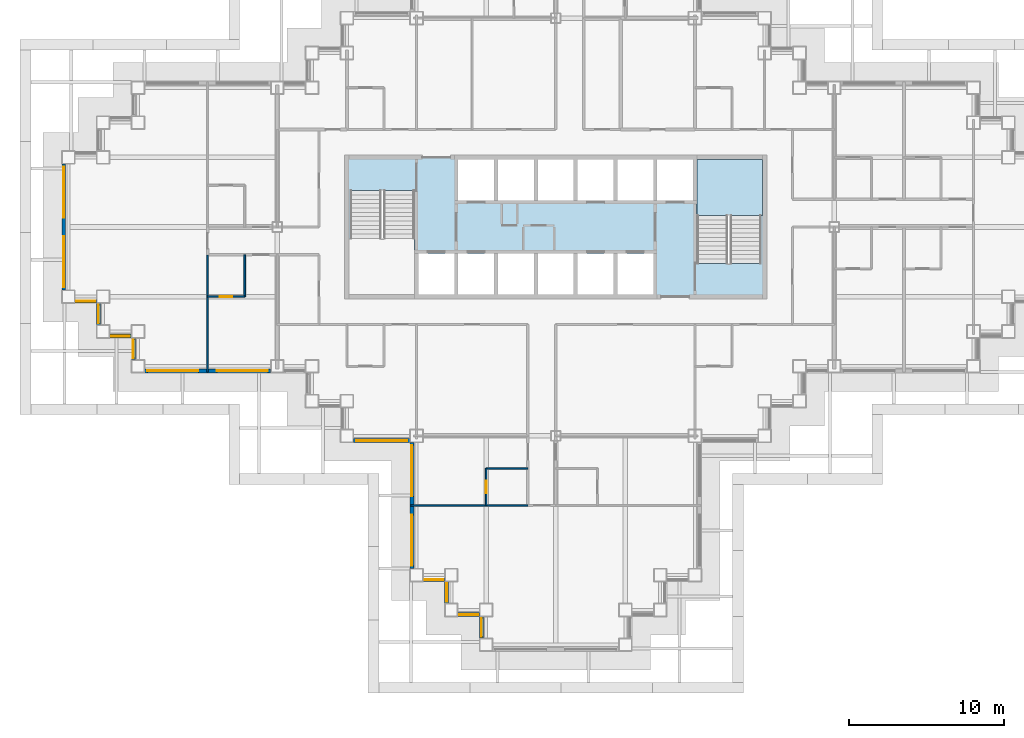
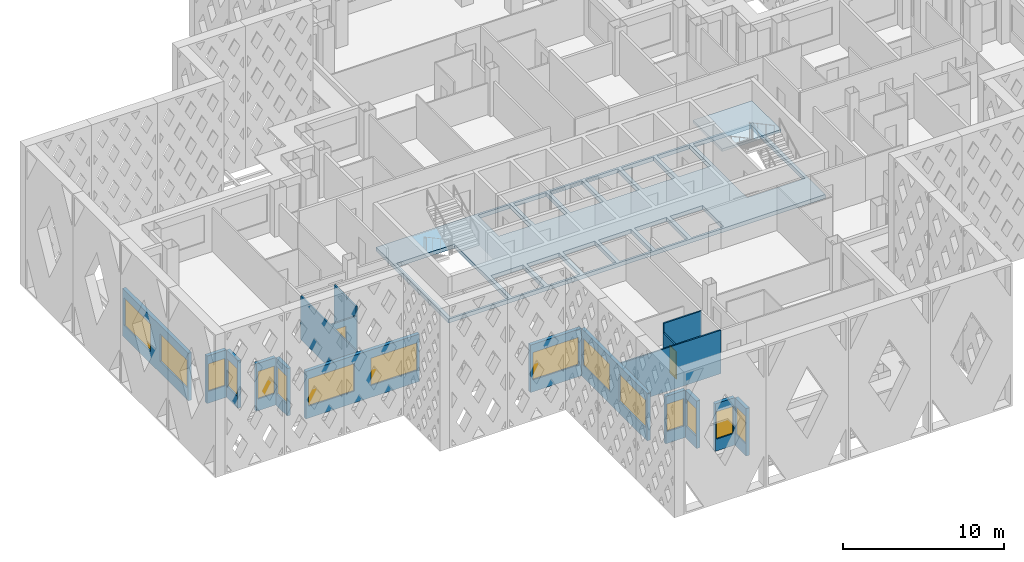
# One storey, part 4 of 21: 18 walls, 15 windows, 2 doors, 2 slabs, 17 openings, 1 element without a shape of its own.
"""IFC4 building model written with IfcOpenShell, lengths in metres."""

from ifc_helpers import new_model, si_unit, direction, frame, frame_2d, origin, place, context, subcontext, project, spatial, polyline, rectangle, outline, extrude, material, layer, layer_set, type_object, element, fill, aggregate, save


model = new_model("IFC4")

# Units and contexts
model_context = context("Model", 3, precision=1e-05, world=origin(), true_north=direction((0.0, 1.0)))
body_context = subcontext(model_context, "Body", "Model", "MODEL_VIEW")
ifc_project = project(units=[si_unit("LENGTHUNIT", "METRE"), si_unit("AREAUNIT", "SQUARE_METRE"), si_unit("VOLUMEUNIT", "CUBIC_METRE"), si_unit("PLANEANGLEUNIT", "RADIAN"), si_unit("MASSUNIT", "GRAM", prefix="KILO")], contexts=[model_context])

# Site, building, storey
site_placement = place(None, origin())
site = spatial("IfcSite", under=ifc_project, at=site_placement, CompositionType="ELEMENT")
building_placement = place(site_placement, origin())
building = spatial("IfcBuilding", under=site, at=building_placement, Name="Caravel Reach Hotel and Residences", CompositionType="ELEMENT")
storey_placement = place(building_placement, frame((0.0, 0.0, 129.60009765625)))
storey = spatial("IfcBuildingStorey", under=building, at=storey_placement, Name="L32", CompositionType="ELEMENT", Elevation=129.60009765625)

# Slab
ifc_material_1 = material(Name="Concrete C40", Category="concrete")
ifc_layer_1 = layer(ifc_material_1, 0.300048828125)
ifc_layer_set_1 = layer_set([ifc_layer_1], Name="Core floor slab 300 mm")
slab_type_1 = type_object("IfcSlabType", Name="Core floor slab 300 mm", PredefinedType="FLOOR", material=ifc_layer_set_1)
slab_1_placement = place(storey_placement, frame((0.0, 0.0, -0.300048828125)))
element("IfcSlab", 1, at=slab_1_placement, inside=storey, type_object=slab_type_1, Name="L32 core floor", PredefinedType="FLOOR", context=body_context, shape_type="SweptSolid", body=[
    extrude(outline(polyline([(18.0, 31.5), (45.0, 31.5), (45.0, 22.5), (18.0, 22.5), (18.0, 31.5)]), holes=[polyline([(22.625, 25.27490234375), (22.625, 22.64990234375), (24.9462890625, 22.64990234375), (24.9462890625, 25.27490234375), (22.625, 25.27490234375)]), polyline([(27.517822265625, 25.27490234375), (25.1962890625, 25.27490234375), (25.1962890625, 22.64990234375), (27.517822265625, 22.64990234375), (27.517822265625, 25.27490234375)]), polyline([(30.08935546875, 25.27490234375), (27.767822265625, 25.27490234375), (27.767822265625, 22.64990234375), (30.08935546875, 22.64990234375), (30.08935546875, 25.27490234375)]), polyline([(32.66064453125, 25.27490234375), (30.33935546875, 25.27490234375), (30.33935546875, 22.64990234375), (32.66064453125, 22.64990234375), (32.66064453125, 25.27490234375)]), polyline([(18.22509765625, 22.64990234375), (22.375, 22.64990234375), (22.375, 29.35009765625), (18.22509765625, 29.35009765625), (18.22509765625, 22.64990234375)]), polyline([(27.517822265625, 31.35009765625), (25.1962890625, 31.35009765625), (25.1962890625, 28.72509765625), (27.517822265625, 28.72509765625), (27.517822265625, 31.35009765625)]), polyline([(30.08935546875, 31.35009765625), (27.767822265625, 31.35009765625), (27.767822265625, 28.72509765625), (30.08935546875, 28.72509765625), (30.08935546875, 31.35009765625)]), polyline([(32.91064453125, 25.27490234375), (32.91064453125, 22.64990234375), (35.232177734375, 22.64990234375), (35.232177734375, 25.27490234375), (32.91064453125, 25.27490234375)]), polyline([(37.8037109375, 25.27490234375), (35.482177734375, 25.27490234375), (35.482177734375, 22.64990234375), (37.8037109375, 22.64990234375), (37.8037109375, 25.27490234375)]), polyline([(44.77490234375, 31.35009765625), (40.625, 31.35009765625), (40.625, 24.64990234375), (44.77490234375, 24.64990234375), (44.77490234375, 31.35009765625)]), polyline([(32.66064453125, 31.35009765625), (30.33935546875, 31.35009765625), (30.33935546875, 28.72509765625), (32.66064453125, 28.72509765625), (32.66064453125, 31.35009765625)]), polyline([(35.232177734375, 31.35009765625), (32.91064453125, 31.35009765625), (32.91064453125, 28.72509765625), (35.232177734375, 28.72509765625), (35.232177734375, 31.35009765625)]), polyline([(37.8037109375, 31.35009765625), (35.482177734375, 31.35009765625), (35.482177734375, 28.72509765625), (37.8037109375, 28.72509765625), (37.8037109375, 31.35009765625)]), polyline([(40.375, 31.35009765625), (38.0537109375, 31.35009765625), (38.0537109375, 28.72509765625), (40.375, 28.72509765625), (40.375, 31.35009765625)])]), origin(), (0.0, 0.0, 1.0), 0.300048828125),
])

# Stair, slab
ifc_material_2 = material(Name="Concrete C40", Category="concrete")
stair_type = type_object("IfcStairType", Name="Core stair", PredefinedType="HALF_TURN_STAIR", material=ifc_material_2)
stair_placement = place(storey_placement, origin())
stair = element("IfcStair", 2, at=stair_placement, inside=storey, type_object=stair_type, Name="L32 Exit stair B", PredefinedType="HALF_TURN_STAIR")
ifc_material_3 = material(Name="Concrete C40", Category="concrete")
ifc_layer_2 = layer(ifc_material_3, 0.199951171875)
ifc_layer_set_2 = layer_set([ifc_layer_2], Name="Core stair landing")
slab_type_2 = type_object("IfcSlabType", Name="Core stair landing", PredefinedType="LANDING", material=ifc_layer_set_2)
slab_2_placement = place(storey_placement, frame((0.0, 0.0, 1.599853515625)))
slab_2 = element("IfcSlab", 3, at=slab_2_placement, type_object=slab_type_2, Name="ST-B landing 1", PredefinedType="LANDING", context=body_context, shape_type="SweptSolid", body=[
    extrude(outline(polyline([(44.85009765625, 27.72998046875), (44.85009765625, 31.35009765625), (40.625, 31.35009765625), (40.625, 27.72998046875), (44.85009765625, 27.72998046875)])), origin(), (0.0, 0.0, 1.0), 0.199951171875),
])
aggregate(stair, [slab_2])

# Wall
ifc_material_4 = material(Name="Gypsum board on steel stud", Category="steel")
ifc_layer_3 = layer(ifc_material_4, 0.10009765625)
ifc_layer_set_3 = layer_set([ifc_layer_3], Name="Bathroom pod wall 100 mm")
wall_type_1 = type_object("IfcWallType", Name="Bathroom pod wall 100 mm", PredefinedType="PARTITIONING", material=ifc_layer_set_3)
wall_1_placement = place(storey_placement, frame((27.0, 11.39990234375, 0.0), z_axis=(0.0, 0.0, 1.0), x_axis=(1.0, 0.0, 0.0)))
element("IfcWall", 4, at=wall_1_placement, inside=storey, type_object=wall_type_1, Name="L32 wall w068", PredefinedType="PARTITIONING", context=body_context, shape_type="SweptSolid", body=[
    extrude(rectangle(XDim=2.699951171875, YDim=0.10009765625, at=frame_2d((1.35009765625, 0.0))), origin(), (0.0, 0.0, 1.0), 3.2998046875),
])

# Wall, opening, door
wall_2_placement = place(storey_placement, frame((9.0, 22.5, 0.0), z_axis=(0.0, 0.0, 1.0), x_axis=(1.0, 0.0, 0.0)))
wall_2 = element("IfcWall", 5, at=wall_2_placement, inside=storey, type_object=wall_type_1, Name="L32 wall w071", PredefinedType="PARTITIONING", context=body_context, shape_type="SweptSolid", body=[
    extrude(rectangle(XDim=2.39990234375, YDim=0.10009765625, at=frame_2d((1.199951171875, 0.0))), origin(), (0.0, 0.0, 1.0), 2.579833984375),
])
opening_1_placement = place(wall_2_placement, frame((0.800048828125, 0.0, 0.0)))
opening_1 = element("IfcOpeningElement", 6, at=opening_1_placement, cuts=wall_2, Name="Opening D32-017", PredefinedType="OPENING", context=body_context, shape_type="SweptSolid", body=[
    extrude(rectangle(XDim=0.800048828125, YDim=2.10009765625, at=frame_2d((0.39990234375, 1.050048828125))), frame((0.0, 0.06005859375, 0.0), z_axis=(0.0, -1.0, 0.0), x_axis=(1.0, 0.0, 0.0)), (0.0, 0.0, 1.0), 0.1201171875),
])
ifc_material_5 = material(Name="Timber and steel door leaf", Category="steel")
door_type = type_object("IfcDoorType", Name="Bathroom door 800 x 2100", OperationType="SINGLE_SWING_LEFT", PredefinedType="DOOR", material=ifc_material_5)
door_1_placement = place(opening_1_placement, origin())
door_1 = element("IfcDoor", 7, at=door_1_placement, inside=storey, type_object=door_type, Name="door D32-017", OperationType="SINGLE_SWING_LEFT", OverallHeight=2.10009765625, OverallWidth=0.800048828125, PredefinedType="DOOR", context=body_context, shape_type="SweptSolid", body=[
    extrude(rectangle(XDim=0.800048828125, YDim=2.10009765625, at=frame_2d((0.39990234375, 1.050048828125))), frame((0.0, 0.02490234375, 0.0), z_axis=(0.0, -1.0, 0.0), x_axis=(1.0, 0.0, 0.0)), (0.0, 0.0, 1.0), 0.050048828125),
])
fill(opening_1, door_1)

# Wall
wall_3_placement = place(storey_placement, frame((11.39990234375, 22.5, 0.0), z_axis=(0.0, 0.0, 1.0), x_axis=(0.0, 1.0, 0.0)))
element("IfcWall", 8, at=wall_3_placement, inside=storey, type_object=wall_type_1, Name="L32 wall w082", PredefinedType="PARTITIONING", context=body_context, shape_type="SweptSolid", body=[
    extrude(rectangle(XDim=2.699951171875, YDim=0.10009765625, at=frame_2d((1.35009765625, 0.0))), origin(), (0.0, 0.0, 1.0), 3.2998046875),
])

# Wall, opening, door
wall_4_placement = place(storey_placement, frame((27.0, 9.0, 0.0), z_axis=(0.0, 0.0, 1.0), x_axis=(0.0, 1.0, 0.0)))
wall_4 = element("IfcWall", 9, at=wall_4_placement, inside=storey, type_object=wall_type_1, Name="L32 wall w086", PredefinedType="PARTITIONING", context=body_context, shape_type="SweptSolid", body=[
    extrude(rectangle(XDim=2.39990234375, YDim=0.10009765625, at=frame_2d((1.199951171875, 0.0))), origin(), (0.0, 0.0, 1.0), 2.579833984375),
])
opening_2_placement = place(wall_4_placement, frame((0.800048828125, 0.0, 0.0)))
opening_2 = element("IfcOpeningElement", 10, at=opening_2_placement, cuts=wall_4, Name="Opening D32-033", PredefinedType="OPENING", context=body_context, shape_type="SweptSolid", body=[
    extrude(rectangle(XDim=0.800048828125, YDim=2.10009765625, at=frame_2d((0.39990234375, 1.050048828125))), frame((0.0, 0.06005859375, 0.0), z_axis=(0.0, -1.0, 0.0), x_axis=(1.0, 0.0, 0.0)), (0.0, 0.0, 1.0), 0.1201171875),
])
door_2_placement = place(opening_2_placement, origin())
door_2 = element("IfcDoor", 11, at=door_2_placement, inside=storey, type_object=door_type, Name="door D32-033", OperationType="SINGLE_SWING_RIGHT", OverallHeight=2.10009765625, OverallWidth=0.800048828125, PredefinedType="DOOR", context=body_context, shape_type="SweptSolid", body=[
    extrude(rectangle(XDim=0.800048828125, YDim=2.10009765625, at=frame_2d((0.39990234375, 1.050048828125))), frame((0.0, 0.02490234375, 0.0), z_axis=(0.0, -1.0, 0.0), x_axis=(1.0, 0.0, 0.0)), (0.0, 0.0, 1.0), 0.050048828125),
])
fill(opening_2, door_2)

# Wall, opening, window
ifc_material_6 = material(Name="Insulated rainscreen wall, aluminium cladding", Category="aluminium")
ifc_layer_4 = layer(ifc_material_6, 0.25)
ifc_layer_set_4 = layer_set([ifc_layer_4], Name="EW1 Tower rainscreen wall")
wall_type_2 = type_object("IfcWallType", Name="EW1 Tower rainscreen wall", PredefinedType="SOLIDWALL", material=ifc_layer_set_4)
wall_5_placement = place(storey_placement, frame((22.925048828125, 4.199951171875, 0.0), z_axis=(0.0, 0.0, 1.0), x_axis=(1.0, 0.0, 0.0)))
wall_5 = element("IfcWall", 12, at=wall_5_placement, inside=storey, type_object=wall_type_2, Name="External wall L32 S1.1", PredefinedType="SOLIDWALL", context=body_context, shape_type="SweptSolid", body=[
    extrude(rectangle(XDim=1.39990234375, YDim=0.25, at=frame_2d((0.699951171875, 0.0))), origin(), (0.0, 0.0, 1.0), 3.599853515625),
])
opening_3_placement = place(wall_5_placement, frame((0.10009765625, 0.0, 0.89990234375)))
opening_3 = element("IfcOpeningElement", 13, at=opening_3_placement, cuts=wall_5, Name="Opening WN9", PredefinedType="OPENING", context=body_context, shape_type="SweptSolid", body=[
    extrude(rectangle(XDim=1.199951171875, YDim=2.080078125, at=frame_2d((0.60009765625, 1.0400390625))), frame((0.0, 0.135009765625, 0.0), z_axis=(0.0, -1.0, 0.0), x_axis=(1.0, 0.0, 0.0)), (0.0, 0.0, 1.0), 0.27001953125),
])
ifc_material_7 = material(Name="Dark low-e glazing in black aluminium frame", Category="aluminium")
window_type_1 = type_object("IfcWindowType", Name="Hotel suite corner window 1200 x 2080", PartitioningType="SINGLE_PANEL", PredefinedType="WINDOW", material=ifc_material_7)
window_1_placement = place(opening_3_placement, origin())
window_1 = element("IfcWindow", 14, at=window_1_placement, inside=storey, type_object=window_type_1, Name="Window L32 S1.1.1", OverallHeight=2.080078125, OverallWidth=1.199951171875, PartitioningType="SINGLE_PANEL", PredefinedType="WINDOW", context=body_context, shape_type="SweptSolid", body=[
    extrude(rectangle(XDim=1.199951171875, YDim=2.080078125, at=frame_2d((0.60009765625, 1.0400390625))), frame((0.0, 0.030029296875, 0.0), z_axis=(0.0, -1.0, 0.0), x_axis=(1.0, 0.0, 0.0)), (0.0, 0.0, 1.0), 0.06005859375),
])
fill(opening_3, window_1)

wall_6_placement = place(storey_placement, frame((24.449951171875, 4.074951171875, 0.0), z_axis=(0.0, 0.0, 1.0), x_axis=(0.0, -1.0, 0.0)))
wall_6 = element("IfcWall", 15, at=wall_6_placement, inside=storey, type_object=wall_type_2, Name="External wall L32 W2.1", PredefinedType="SOLIDWALL", context=body_context, shape_type="SweptSolid", body=[
    extrude(rectangle(XDim=1.39990234375, YDim=0.25, at=frame_2d((0.699951171875, 0.0))), origin(), (0.0, 0.0, 1.0), 3.599853515625),
])
opening_4_placement = place(wall_6_placement, frame((0.10009765625, 0.0, 0.89990234375)))
opening_4 = element("IfcOpeningElement", 16, at=opening_4_placement, cuts=wall_6, Name="Opening WN9", PredefinedType="OPENING", context=body_context, shape_type="SweptSolid", body=[
    extrude(rectangle(XDim=1.199951171875, YDim=2.080078125, at=frame_2d((0.60009765625, 1.0400390625))), frame((0.0, 0.135009765625, 0.0), z_axis=(0.0, -1.0, 0.0), x_axis=(1.0, 0.0, 0.0)), (0.0, 0.0, 1.0), 0.27001953125),
])
window_2_placement = place(opening_4_placement, origin())
window_2 = element("IfcWindow", 17, at=window_2_placement, inside=storey, type_object=window_type_1, Name="Window L32 W2.1.1", OverallHeight=2.080078125, OverallWidth=1.199951171875, PartitioningType="SINGLE_PANEL", PredefinedType="WINDOW", context=body_context, shape_type="SweptSolid", body=[
    extrude(rectangle(XDim=1.199951171875, YDim=2.080078125, at=frame_2d((0.60009765625, 1.0400390625))), frame((0.0, 0.030029296875, 0.0), z_axis=(0.0, -1.0, 0.0), x_axis=(1.0, 0.0, 0.0)), (0.0, 0.0, 1.0), 0.06005859375),
])
fill(opening_4, window_2)

wall_7_placement = place(storey_placement, frame((25.175048828125, 1.949951171875, 0.0), z_axis=(0.0, 0.0, 1.0), x_axis=(1.0, 0.0, 0.0)))
wall_7 = element("IfcWall", 18, at=wall_7_placement, inside=storey, type_object=wall_type_2, Name="External wall L32 S3.1", PredefinedType="SOLIDWALL", context=body_context, shape_type="SweptSolid", body=[
    extrude(rectangle(XDim=1.39990234375, YDim=0.25, at=frame_2d((0.699951171875, 0.0))), origin(), (0.0, 0.0, 1.0), 3.599853515625),
])
opening_5_placement = place(wall_7_placement, frame((0.10009765625, 0.0, 0.89990234375)))
opening_5 = element("IfcOpeningElement", 19, at=opening_5_placement, cuts=wall_7, Name="Opening WN9", PredefinedType="OPENING", context=body_context, shape_type="SweptSolid", body=[
    extrude(rectangle(XDim=1.199951171875, YDim=2.080078125, at=frame_2d((0.60009765625, 1.0400390625))), frame((0.0, 0.135009765625, 0.0), z_axis=(0.0, -1.0, 0.0), x_axis=(1.0, 0.0, 0.0)), (0.0, 0.0, 1.0), 0.27001953125),
])
window_3_placement = place(opening_5_placement, origin())
window_3 = element("IfcWindow", 20, at=window_3_placement, inside=storey, type_object=window_type_1, Name="Window L32 S3.1.1", OverallHeight=2.080078125, OverallWidth=1.199951171875, PartitioningType="SINGLE_PANEL", PredefinedType="WINDOW", context=body_context, shape_type="SweptSolid", body=[
    extrude(rectangle(XDim=1.199951171875, YDim=2.080078125, at=frame_2d((0.60009765625, 1.0400390625))), frame((0.0, 0.030029296875, 0.0), z_axis=(0.0, -1.0, 0.0), x_axis=(1.0, 0.0, 0.0)), (0.0, 0.0, 1.0), 0.06005859375),
])
fill(opening_5, window_3)

wall_8_placement = place(storey_placement, frame((26.699951171875, 1.824951171875, 0.0), z_axis=(0.0, 0.0, 1.0), x_axis=(0.0, -1.0, 0.0)))
wall_8 = element("IfcWall", 21, at=wall_8_placement, inside=storey, type_object=wall_type_2, Name="External wall L32 W4.1", PredefinedType="SOLIDWALL", context=body_context, shape_type="SweptSolid", body=[
    extrude(rectangle(XDim=1.39990234375, YDim=0.25, at=frame_2d((0.699951171875, 0.0))), origin(), (0.0, 0.0, 1.0), 3.599853515625),
])
opening_6_placement = place(wall_8_placement, frame((0.10009765625, 0.0, 0.89990234375)))
opening_6 = element("IfcOpeningElement", 22, at=opening_6_placement, cuts=wall_8, Name="Opening WN9", PredefinedType="OPENING", context=body_context, shape_type="SweptSolid", body=[
    extrude(rectangle(XDim=1.199951171875, YDim=2.080078125, at=frame_2d((0.60009765625, 1.0400390625))), frame((0.0, 0.135009765625, 0.0), z_axis=(0.0, -1.0, 0.0), x_axis=(1.0, 0.0, 0.0)), (0.0, 0.0, 1.0), 0.27001953125),
])
window_4_placement = place(opening_6_placement, origin())
window_4 = element("IfcWindow", 23, at=window_4_placement, inside=storey, type_object=window_type_1, Name="Window L32 W4.1.1", OverallHeight=2.080078125, OverallWidth=1.199951171875, PartitioningType="SINGLE_PANEL", PredefinedType="WINDOW", context=body_context, shape_type="SweptSolid", body=[
    extrude(rectangle(XDim=1.199951171875, YDim=2.080078125, at=frame_2d((0.60009765625, 1.0400390625))), frame((0.0, 0.030029296875, 0.0), z_axis=(0.0, -1.0, 0.0), x_axis=(1.0, 0.0, 0.0)), (0.0, 0.0, 1.0), 0.06005859375),
])
fill(opening_6, window_4)

# Wall, openings, windows
wall_9_placement = place(storey_placement, frame((-0.300048828125, 31.074951171875, 0.0), z_axis=(0.0, 0.0, 1.0), x_axis=(0.0, -1.0, 0.0)))
wall_9 = element("IfcWall", 24, at=wall_9_placement, inside=storey, type_object=wall_type_2, Name="External wall L32 W50.1", PredefinedType="SOLIDWALL", context=body_context, shape_type="SweptSolid", body=[
    extrude(rectangle(XDim=8.14990234375, YDim=0.25, at=frame_2d((4.074951171875, 0.0))), origin(), (0.0, 0.0, 1.0), 3.599853515625),
])
opening_7_placement = place(wall_9_placement, frame((0.175048828125, 0.0, 0.89990234375)))
opening_7 = element("IfcOpeningElement", 25, at=opening_7_placement, cuts=wall_9, Name="Opening WN4", PredefinedType="OPENING", context=body_context, shape_type="SweptSolid", body=[
    extrude(rectangle(XDim=3.300048828125, YDim=2.080078125, at=frame_2d((1.64990234375, 1.0400390625))), frame((0.0, 0.135009765625, 0.0), z_axis=(0.0, -1.0, 0.0), x_axis=(1.0, 0.0, 0.0)), (0.0, 0.0, 1.0), 0.27001953125),
])
opening_8_placement = place(wall_9_placement, frame((4.675048828125, 0.0, 0.89990234375)))
opening_8 = element("IfcOpeningElement", 26, at=opening_8_placement, cuts=wall_9, Name="Opening WN4", PredefinedType="OPENING", context=body_context, shape_type="SweptSolid", body=[
    extrude(rectangle(XDim=3.300048828125, YDim=2.080078125, at=frame_2d((1.64990234375, 1.0400390625))), frame((0.0, 0.135009765625, 0.0), z_axis=(0.0, -1.0, 0.0), x_axis=(1.0, 0.0, 0.0)), (0.0, 0.0, 1.0), 0.27001953125),
])
ifc_material_8 = material(Name="Dark low-e glazing in black aluminium frame", Category="aluminium")
window_type_2 = type_object("IfcWindowType", Name="Hotel guest room window 3300 x 2080", PartitioningType="SINGLE_PANEL", PredefinedType="WINDOW", material=ifc_material_8)
window_5_placement = place(opening_7_placement, origin())
window_5 = element("IfcWindow", 27, at=window_5_placement, inside=storey, type_object=window_type_2, Name="Window L32 W50.1.1", OverallHeight=2.080078125, OverallWidth=3.300048828125, PartitioningType="SINGLE_PANEL", PredefinedType="WINDOW", context=body_context, shape_type="SweptSolid", body=[
    extrude(rectangle(XDim=3.300048828125, YDim=2.080078125, at=frame_2d((1.64990234375, 1.0400390625))), frame((0.0, 0.030029296875, 0.0), z_axis=(0.0, -1.0, 0.0), x_axis=(1.0, 0.0, 0.0)), (0.0, 0.0, 1.0), 0.06005859375),
])
fill(opening_7, window_5)
window_6_placement = place(opening_8_placement, origin())
window_6 = element("IfcWindow", 28, at=window_6_placement, inside=storey, type_object=window_type_2, Name="Window L32 W50.1.2", OverallHeight=2.080078125, OverallWidth=3.300048828125, PartitioningType="SINGLE_PANEL", PredefinedType="WINDOW", context=body_context, shape_type="SweptSolid", body=[
    extrude(rectangle(XDim=3.300048828125, YDim=2.080078125, at=frame_2d((1.64990234375, 1.0400390625))), frame((0.0, 0.030029296875, 0.0), z_axis=(0.0, -1.0, 0.0), x_axis=(1.0, 0.0, 0.0)), (0.0, 0.0, 1.0), 0.06005859375),
])
fill(opening_8, window_6)

# Wall, opening, window
wall_10_placement = place(storey_placement, frame((0.425048828125, 22.199951171875, 0.0), z_axis=(0.0, 0.0, 1.0), x_axis=(1.0, 0.0, 0.0)))
wall_10 = element("IfcWall", 29, at=wall_10_placement, inside=storey, type_object=wall_type_2, Name="External wall L32 S51.1", PredefinedType="SOLIDWALL", context=body_context, shape_type="SweptSolid", body=[
    extrude(rectangle(XDim=1.39990234375, YDim=0.25, at=frame_2d((0.699951171875, 0.0))), origin(), (0.0, 0.0, 1.0), 3.599853515625),
])
opening_9_placement = place(wall_10_placement, frame((0.10009765625, 0.0, 0.89990234375)))
opening_9 = element("IfcOpeningElement", 30, at=opening_9_placement, cuts=wall_10, Name="Opening WN9", PredefinedType="OPENING", context=body_context, shape_type="SweptSolid", body=[
    extrude(rectangle(XDim=1.199951171875, YDim=2.080078125, at=frame_2d((0.60009765625, 1.0400390625))), frame((0.0, 0.135009765625, 0.0), z_axis=(0.0, -1.0, 0.0), x_axis=(1.0, 0.0, 0.0)), (0.0, 0.0, 1.0), 0.27001953125),
])
window_7_placement = place(opening_9_placement, origin())
window_7 = element("IfcWindow", 31, at=window_7_placement, inside=storey, type_object=window_type_1, Name="Window L32 S51.1.1", OverallHeight=2.080078125, OverallWidth=1.199951171875, PartitioningType="SINGLE_PANEL", PredefinedType="WINDOW", context=body_context, shape_type="SweptSolid", body=[
    extrude(rectangle(XDim=1.199951171875, YDim=2.080078125, at=frame_2d((0.60009765625, 1.0400390625))), frame((0.0, 0.030029296875, 0.0), z_axis=(0.0, -1.0, 0.0), x_axis=(1.0, 0.0, 0.0)), (0.0, 0.0, 1.0), 0.06005859375),
])
fill(opening_9, window_7)

wall_11_placement = place(storey_placement, frame((1.949951171875, 22.074951171875, 0.0), z_axis=(0.0, 0.0, 1.0), x_axis=(0.0, -1.0, 0.0)))
wall_11 = element("IfcWall", 32, at=wall_11_placement, inside=storey, type_object=wall_type_2, Name="External wall L32 W52.1", PredefinedType="SOLIDWALL", context=body_context, shape_type="SweptSolid", body=[
    extrude(rectangle(XDim=1.39990234375, YDim=0.25, at=frame_2d((0.699951171875, 0.0))), origin(), (0.0, 0.0, 1.0), 3.599853515625),
])
opening_10_placement = place(wall_11_placement, frame((0.10009765625, 0.0, 0.89990234375)))
opening_10 = element("IfcOpeningElement", 33, at=opening_10_placement, cuts=wall_11, Name="Opening WN9", PredefinedType="OPENING", context=body_context, shape_type="SweptSolid", body=[
    extrude(rectangle(XDim=1.199951171875, YDim=2.080078125, at=frame_2d((0.60009765625, 1.0400390625))), frame((0.0, 0.135009765625, 0.0), z_axis=(0.0, -1.0, 0.0), x_axis=(1.0, 0.0, 0.0)), (0.0, 0.0, 1.0), 0.27001953125),
])
window_8_placement = place(opening_10_placement, origin())
window_8 = element("IfcWindow", 34, at=window_8_placement, inside=storey, type_object=window_type_1, Name="Window L32 W52.1.1", OverallHeight=2.080078125, OverallWidth=1.199951171875, PartitioningType="SINGLE_PANEL", PredefinedType="WINDOW", context=body_context, shape_type="SweptSolid", body=[
    extrude(rectangle(XDim=1.199951171875, YDim=2.080078125, at=frame_2d((0.60009765625, 1.0400390625))), frame((0.0, 0.030029296875, 0.0), z_axis=(0.0, -1.0, 0.0), x_axis=(1.0, 0.0, 0.0)), (0.0, 0.0, 1.0), 0.06005859375),
])
fill(opening_10, window_8)

wall_12_placement = place(storey_placement, frame((2.675048828125, 19.949951171875, 0.0), z_axis=(0.0, 0.0, 1.0), x_axis=(1.0, 0.0, 0.0)))
wall_12 = element("IfcWall", 35, at=wall_12_placement, inside=storey, type_object=wall_type_2, Name="External wall L32 S53.1", PredefinedType="SOLIDWALL", context=body_context, shape_type="SweptSolid", body=[
    extrude(rectangle(XDim=1.39990234375, YDim=0.25, at=frame_2d((0.699951171875, 0.0))), origin(), (0.0, 0.0, 1.0), 3.599853515625),
])
opening_11_placement = place(wall_12_placement, frame((0.10009765625, 0.0, 0.89990234375)))
opening_11 = element("IfcOpeningElement", 36, at=opening_11_placement, cuts=wall_12, Name="Opening WN9", PredefinedType="OPENING", context=body_context, shape_type="SweptSolid", body=[
    extrude(rectangle(XDim=1.199951171875, YDim=2.080078125, at=frame_2d((0.60009765625, 1.0400390625))), frame((0.0, 0.135009765625, 0.0), z_axis=(0.0, -1.0, 0.0), x_axis=(1.0, 0.0, 0.0)), (0.0, 0.0, 1.0), 0.27001953125),
])
window_9_placement = place(opening_11_placement, origin())
window_9 = element("IfcWindow", 37, at=window_9_placement, inside=storey, type_object=window_type_1, Name="Window L32 S53.1.1", OverallHeight=2.080078125, OverallWidth=1.199951171875, PartitioningType="SINGLE_PANEL", PredefinedType="WINDOW", context=body_context, shape_type="SweptSolid", body=[
    extrude(rectangle(XDim=1.199951171875, YDim=2.080078125, at=frame_2d((0.60009765625, 1.0400390625))), frame((0.0, 0.030029296875, 0.0), z_axis=(0.0, -1.0, 0.0), x_axis=(1.0, 0.0, 0.0)), (0.0, 0.0, 1.0), 0.06005859375),
])
fill(opening_11, window_9)

wall_13_placement = place(storey_placement, frame((4.199951171875, 19.824951171875, 0.0), z_axis=(0.0, 0.0, 1.0), x_axis=(0.0, -1.0, 0.0)))
wall_13 = element("IfcWall", 38, at=wall_13_placement, inside=storey, type_object=wall_type_2, Name="External wall L32 W54.1", PredefinedType="SOLIDWALL", context=body_context, shape_type="SweptSolid", body=[
    extrude(rectangle(XDim=1.39990234375, YDim=0.25, at=frame_2d((0.699951171875, 0.0))), origin(), (0.0, 0.0, 1.0), 3.599853515625),
])
opening_12_placement = place(wall_13_placement, frame((0.10009765625, 0.0, 0.89990234375)))
opening_12 = element("IfcOpeningElement", 39, at=opening_12_placement, cuts=wall_13, Name="Opening WN9", PredefinedType="OPENING", context=body_context, shape_type="SweptSolid", body=[
    extrude(rectangle(XDim=1.199951171875, YDim=2.080078125, at=frame_2d((0.60009765625, 1.0400390625))), frame((0.0, 0.135009765625, 0.0), z_axis=(0.0, -1.0, 0.0), x_axis=(1.0, 0.0, 0.0)), (0.0, 0.0, 1.0), 0.27001953125),
])
window_10_placement = place(opening_12_placement, origin())
window_10 = element("IfcWindow", 40, at=window_10_placement, inside=storey, type_object=window_type_1, Name="Window L32 W54.1.1", OverallHeight=2.080078125, OverallWidth=1.199951171875, PartitioningType="SINGLE_PANEL", PredefinedType="WINDOW", context=body_context, shape_type="SweptSolid", body=[
    extrude(rectangle(XDim=1.199951171875, YDim=2.080078125, at=frame_2d((0.60009765625, 1.0400390625))), frame((0.0, 0.030029296875, 0.0), z_axis=(0.0, -1.0, 0.0), x_axis=(1.0, 0.0, 0.0)), (0.0, 0.0, 1.0), 0.06005859375),
])
fill(opening_12, window_10)

# Wall, openings, windows
wall_14_placement = place(storey_placement, frame((4.925048828125, 17.699951171875, 0.0), z_axis=(0.0, 0.0, 1.0), x_axis=(1.0, 0.0, 0.0)))
wall_14 = element("IfcWall", 41, at=wall_14_placement, inside=storey, type_object=wall_type_2, Name="External wall L32 S55.1", PredefinedType="SOLIDWALL", context=body_context, shape_type="SweptSolid", body=[
    extrude(rectangle(XDim=8.14990234375, YDim=0.25, at=frame_2d((4.074951171875, 0.0))), origin(), (0.0, 0.0, 1.0), 3.599853515625),
])
opening_13_placement = place(wall_14_placement, frame((0.175048828125, 0.0, 0.89990234375)))
opening_13 = element("IfcOpeningElement", 42, at=opening_13_placement, cuts=wall_14, Name="Opening WN4", PredefinedType="OPENING", context=body_context, shape_type="SweptSolid", body=[
    extrude(rectangle(XDim=3.300048828125, YDim=2.080078125, at=frame_2d((1.64990234375, 1.0400390625))), frame((0.0, 0.135009765625, 0.0), z_axis=(0.0, -1.0, 0.0), x_axis=(1.0, 0.0, 0.0)), (0.0, 0.0, 1.0), 0.27001953125),
])
opening_14_placement = place(wall_14_placement, frame((4.675048828125, 0.0, 0.89990234375)))
opening_14 = element("IfcOpeningElement", 43, at=opening_14_placement, cuts=wall_14, Name="Opening WN4", PredefinedType="OPENING", context=body_context, shape_type="SweptSolid", body=[
    extrude(rectangle(XDim=3.300048828125, YDim=2.080078125, at=frame_2d((1.64990234375, 1.0400390625))), frame((0.0, 0.135009765625, 0.0), z_axis=(0.0, -1.0, 0.0), x_axis=(1.0, 0.0, 0.0)), (0.0, 0.0, 1.0), 0.27001953125),
])
window_11_placement = place(opening_13_placement, origin())
window_11 = element("IfcWindow", 44, at=window_11_placement, inside=storey, type_object=window_type_2, Name="Window L32 S55.1.1", OverallHeight=2.080078125, OverallWidth=3.300048828125, PartitioningType="SINGLE_PANEL", PredefinedType="WINDOW", context=body_context, shape_type="SweptSolid", body=[
    extrude(rectangle(XDim=3.300048828125, YDim=2.080078125, at=frame_2d((1.64990234375, 1.0400390625))), frame((0.0, 0.030029296875, 0.0), z_axis=(0.0, -1.0, 0.0), x_axis=(1.0, 0.0, 0.0)), (0.0, 0.0, 1.0), 0.06005859375),
])
fill(opening_13, window_11)
window_12_placement = place(opening_14_placement, origin())
window_12 = element("IfcWindow", 45, at=window_12_placement, inside=storey, type_object=window_type_2, Name="Window L32 S55.1.2", OverallHeight=2.080078125, OverallWidth=3.300048828125, PartitioningType="SINGLE_PANEL", PredefinedType="WINDOW", context=body_context, shape_type="SweptSolid", body=[
    extrude(rectangle(XDim=3.300048828125, YDim=2.080078125, at=frame_2d((1.64990234375, 1.0400390625))), frame((0.0, 0.030029296875, 0.0), z_axis=(0.0, -1.0, 0.0), x_axis=(1.0, 0.0, 0.0)), (0.0, 0.0, 1.0), 0.06005859375),
])
fill(opening_14, window_12)

# Wall, opening, window
wall_15_placement = place(storey_placement, frame((18.425048828125, 13.199951171875, 0.0), z_axis=(0.0, 0.0, 1.0), x_axis=(1.0, 0.0, 0.0)))
wall_15 = element("IfcWall", 46, at=wall_15_placement, inside=storey, type_object=wall_type_2, Name="External wall L32 S59.1", PredefinedType="SOLIDWALL", context=body_context, shape_type="SweptSolid", body=[
    extrude(rectangle(XDim=3.64990234375, YDim=0.25, at=frame_2d((1.824951171875, 0.0))), origin(), (0.0, 0.0, 1.0), 3.599853515625),
])
opening_15_placement = place(wall_15_placement, frame((0.175048828125, 0.0, 0.89990234375)))
opening_15 = element("IfcOpeningElement", 47, at=opening_15_placement, cuts=wall_15, Name="Opening WN4", PredefinedType="OPENING", context=body_context, shape_type="SweptSolid", body=[
    extrude(rectangle(XDim=3.300048828125, YDim=2.080078125, at=frame_2d((1.64990234375, 1.0400390625))), frame((0.0, 0.135009765625, 0.0), z_axis=(0.0, -1.0, 0.0), x_axis=(1.0, 0.0, 0.0)), (0.0, 0.0, 1.0), 0.27001953125),
])
window_13_placement = place(opening_15_placement, origin())
window_13 = element("IfcWindow", 48, at=window_13_placement, inside=storey, type_object=window_type_2, Name="Window L32 S59.1.1", OverallHeight=2.080078125, OverallWidth=3.300048828125, PartitioningType="SINGLE_PANEL", PredefinedType="WINDOW", context=body_context, shape_type="SweptSolid", body=[
    extrude(rectangle(XDim=3.300048828125, YDim=2.080078125, at=frame_2d((1.64990234375, 1.0400390625))), frame((0.0, 0.030029296875, 0.0), z_axis=(0.0, -1.0, 0.0), x_axis=(1.0, 0.0, 0.0)), (0.0, 0.0, 1.0), 0.06005859375),
])
fill(opening_15, window_13)

# Wall, openings, windows
wall_16_placement = place(storey_placement, frame((22.199951171875, 13.074951171875, 0.0), z_axis=(0.0, 0.0, 1.0), x_axis=(0.0, -1.0, 0.0)))
wall_16 = element("IfcWall", 49, at=wall_16_placement, inside=storey, type_object=wall_type_2, Name="External wall L32 W60.1", PredefinedType="SOLIDWALL", context=body_context, shape_type="SweptSolid", body=[
    extrude(rectangle(XDim=8.14990234375, YDim=0.25, at=frame_2d((4.074951171875, 0.0))), origin(), (0.0, 0.0, 1.0), 3.599853515625),
])
opening_16_placement = place(wall_16_placement, frame((0.175048828125, 0.0, 0.89990234375)))
opening_16 = element("IfcOpeningElement", 50, at=opening_16_placement, cuts=wall_16, Name="Opening WN4", PredefinedType="OPENING", context=body_context, shape_type="SweptSolid", body=[
    extrude(rectangle(XDim=3.300048828125, YDim=2.080078125, at=frame_2d((1.64990234375, 1.0400390625))), frame((0.0, 0.135009765625, 0.0), z_axis=(0.0, -1.0, 0.0), x_axis=(1.0, 0.0, 0.0)), (0.0, 0.0, 1.0), 0.27001953125),
])
opening_17_placement = place(wall_16_placement, frame((4.675048828125, 0.0, 0.89990234375)))
opening_17 = element("IfcOpeningElement", 51, at=opening_17_placement, cuts=wall_16, Name="Opening WN4", PredefinedType="OPENING", context=body_context, shape_type="SweptSolid", body=[
    extrude(rectangle(XDim=3.300048828125, YDim=2.080078125, at=frame_2d((1.64990234375, 1.0400390625))), frame((0.0, 0.135009765625, 0.0), z_axis=(0.0, -1.0, 0.0), x_axis=(1.0, 0.0, 0.0)), (0.0, 0.0, 1.0), 0.27001953125),
])
window_14_placement = place(opening_16_placement, origin())
window_14 = element("IfcWindow", 52, at=window_14_placement, inside=storey, type_object=window_type_2, Name="Window L32 W60.1.1", OverallHeight=2.080078125, OverallWidth=3.300048828125, PartitioningType="SINGLE_PANEL", PredefinedType="WINDOW", context=body_context, shape_type="SweptSolid", body=[
    extrude(rectangle(XDim=3.300048828125, YDim=2.080078125, at=frame_2d((1.64990234375, 1.0400390625))), frame((0.0, 0.030029296875, 0.0), z_axis=(0.0, -1.0, 0.0), x_axis=(1.0, 0.0, 0.0)), (0.0, 0.0, 1.0), 0.06005859375),
])
fill(opening_16, window_14)
window_15_placement = place(opening_17_placement, origin())
window_15 = element("IfcWindow", 53, at=window_15_placement, inside=storey, type_object=window_type_2, Name="Window L32 W60.1.2", OverallHeight=2.080078125, OverallWidth=3.300048828125, PartitioningType="SINGLE_PANEL", PredefinedType="WINDOW", context=body_context, shape_type="SweptSolid", body=[
    extrude(rectangle(XDim=3.300048828125, YDim=2.080078125, at=frame_2d((1.64990234375, 1.0400390625))), frame((0.0, 0.030029296875, 0.0), z_axis=(0.0, -1.0, 0.0), x_axis=(1.0, 0.0, 0.0)), (0.0, 0.0, 1.0), 0.06005859375),
])
fill(opening_17, window_15)

# Walls
ifc_material_9 = material(Name="Gypsum board on steel stud", Category="steel")
ifc_layer_5 = layer(ifc_material_9, 0.10009765625)
ifc_layer_set_5 = layer_set([ifc_layer_5], Name="Partition 100 mm")
wall_type_3 = type_object("IfcWallType", Name="Partition 100 mm", PredefinedType="PARTITIONING", material=ifc_layer_set_5)
for number, where, z_axis, x_axis, name in (
    (54, (22.135009765625, 9.0, 0.0), (0.0, 0.0, 1.0), (1.0, 0.0, 0.0), "L32 wall w048"),
    (55, (9.0, 17.635009765625, 0.0), (0.0, 0.0, 1.0), (0.0, 1.0, 0.0), "L32 wall w062"),
):
    element("IfcWall", number, at=place(storey_placement, frame(where, z_axis=z_axis, x_axis=x_axis)), inside=storey, type_object=wall_type_3, Name=name, PredefinedType="PARTITIONING", context=body_context, shape_type="SweptSolid", body=[
        extrude(rectangle(XDim=7.56494140625, YDim=0.10009765625, at=frame_2d((3.782470703125, 0.0))), origin(), (0.0, 0.0, 1.0), 3.2998046875),
    ])

save(model, "model.ifc")
